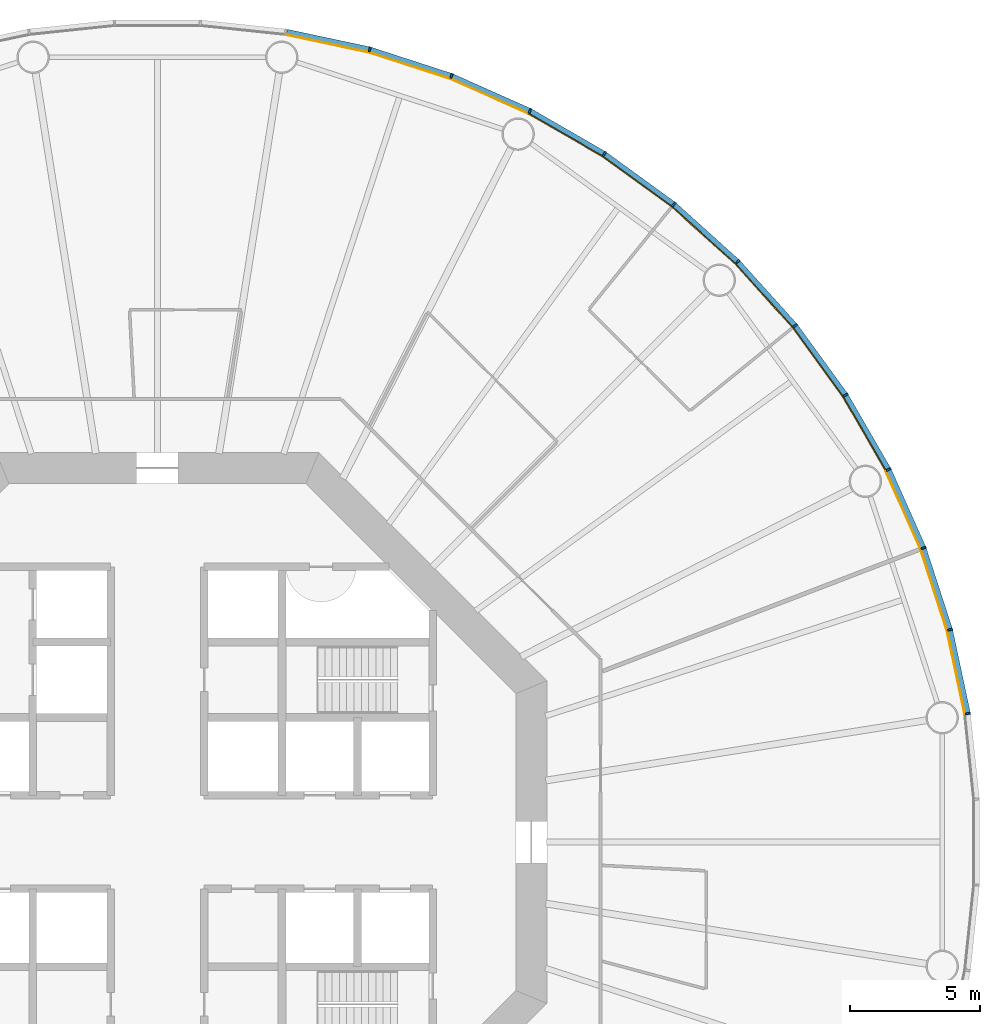
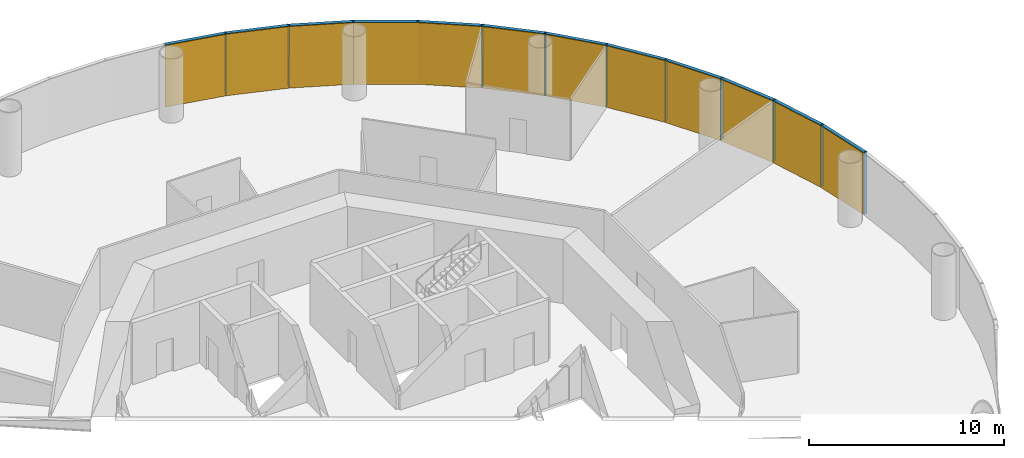
# One storey, part 12 of 13: 24 members, 4 curtain walls.
"""IFC4 building model written with IfcOpenShell, lengths in metres."""

from ifc_helpers import new_model, si_unit, direction, frame, origin, origin_2d, place, context, subcontext, project, spatial, polyline, rectangle, outline, extrude, material, layer, layer_set, material_profile, profile_set, type_object, element, aggregate, save


model = new_model("IFC4")

# Units and contexts
model_context = context("Model", 3, precision=1e-05, world=origin(), true_north=direction((0.0, 1.0)))
body_context = subcontext(model_context, "Body", "Model", "MODEL_VIEW")
ifc_project = project(units=[si_unit("LENGTHUNIT", "METRE"), si_unit("AREAUNIT", "SQUARE_METRE"), si_unit("VOLUMEUNIT", "CUBIC_METRE"), si_unit("PLANEANGLEUNIT", "RADIAN"), si_unit("MASSUNIT", "GRAM", prefix="KILO")], contexts=[model_context])

# Member
ifc_material_1 = material(Name="Anodised aluminium", Category="aluminium")
ifc_material_profile_1 = material_profile(ifc_material_1, rectangle(XDim=0.070068359375, YDim=0.199951171875, at=origin_2d()), Name="Mullion 70 x 200 mm anodised aluminium")
ifc_profile_set_1 = profile_set([ifc_material_profile_1], Name="Anodised aluminium")
member_type_1 = type_object("IfcMemberType", Name="Mullion 70 x 200 mm anodised aluminium", PredefinedType="MULLION", material=ifc_profile_set_1)
site_placement = place(None, origin())
building_placement = place(site_placement, origin())
storey_placement = place(building_placement, frame((0.0, 0.0, 104.0)))
member_1_placement = place(storey_placement, frame((121.2109375, 84.943359375, 0.0), z_axis=(0.0, 0.0, 1.0), x_axis=(-0.15643446504, 0.987688340595, 0.0)))
member_1 = element("IfcMember", 1, at=member_1_placement, type_object=member_type_1, Name="MULLION L23-00", PredefinedType="MULLION", context=body_context, shape_type="SweptSolid", body=[
    extrude(rectangle(XDim=0.070068359375, YDim=0.199951171875, at=origin_2d()), origin(), (0.0, 0.0, 1.0), 3.85009765625),
])

member_2_placement = place(storey_placement, frame((120.523193359375, 88.1787109375, 0.0), z_axis=(0.0, 0.0, 1.0), x_axis=(-0.258819045103, 0.965925826289, 0.0)))
member_2 = element("IfcMember", 2, at=member_2_placement, type_object=member_type_1, Name="MULLION L23-01", PredefinedType="MULLION", context=body_context, shape_type="SweptSolid", body=[
    extrude(rectangle(XDim=0.070068359375, YDim=0.199951171875, at=origin_2d()), origin(), (0.0, 0.0, 1.0), 3.85009765625),
])

member_3_placement = place(storey_placement, frame((119.501220703125, 91.324462890625, 0.0), z_axis=(0.0, 0.0, 1.0), x_axis=(-0.358367949545, 0.933580426497, 0.0)))
member_3 = element("IfcMember", 3, at=member_3_placement, type_object=member_type_1, Name="MULLION L23-02", PredefinedType="MULLION", context=body_context, shape_type="SweptSolid", body=[
    extrude(rectangle(XDim=0.070068359375, YDim=0.199951171875, at=origin_2d()), origin(), (0.0, 0.0, 1.0), 3.85009765625),
])

member_4_placement = place(storey_placement, frame((118.15576171875, 94.34619140625, 0.0), z_axis=(0.0, 0.0, 1.0), x_axis=(-0.45399049974, 0.891006524188, 0.0)))
member_4 = element("IfcMember", 4, at=member_4_placement, type_object=member_type_1, Name="MULLION L23-03", PredefinedType="MULLION", context=body_context, shape_type="SweptSolid", body=[
    extrude(rectangle(XDim=0.070068359375, YDim=0.199951171875, at=origin_2d()), origin(), (0.0, 0.0, 1.0), 3.85009765625),
])

member_5_placement = place(storey_placement, frame((116.501953125, 97.210693359375, 0.0), z_axis=(0.0, 0.0, 1.0), x_axis=(-0.544639035015, 0.838670567945, 0.0)))
member_5 = element("IfcMember", 5, at=member_5_placement, type_object=member_type_1, Name="MULLION L23-04", PredefinedType="MULLION", context=body_context, shape_type="SweptSolid", body=[
    extrude(rectangle(XDim=0.070068359375, YDim=0.199951171875, at=origin_2d()), origin(), (0.0, 0.0, 1.0), 3.85009765625),
])

member_6_placement = place(storey_placement, frame((114.557861328125, 99.886474609375, 0.0), z_axis=(0.0, 0.0, 1.0), x_axis=(-0.62932039105, 0.777145961457, 0.0)))
member_6 = element("IfcMember", 6, at=member_6_placement, type_object=member_type_1, Name="MULLION L23-05", PredefinedType="MULLION", context=body_context, shape_type="SweptSolid", body=[
    extrude(rectangle(XDim=0.070068359375, YDim=0.199951171875, at=origin_2d()), origin(), (0.0, 0.0, 1.0), 3.85009765625),
])

member_7_placement = place(storey_placement, frame((112.344482421875, 102.344482421875, 0.0), z_axis=(0.0, 0.0, 1.0), x_axis=(-0.707106781187, 0.707106781187, 0.0)))
member_7 = element("IfcMember", 7, at=member_7_placement, type_object=member_type_1, Name="MULLION L23-06", PredefinedType="MULLION", context=body_context, shape_type="SweptSolid", body=[
    extrude(rectangle(XDim=0.070068359375, YDim=0.199951171875, at=origin_2d()), origin(), (0.0, 0.0, 1.0), 3.85009765625),
])

member_8_placement = place(storey_placement, frame((109.886474609375, 104.557861328125, 0.0), z_axis=(0.0, 0.0, 1.0), x_axis=(-0.777145961457, 0.62932039105, 0.0)))
member_8 = element("IfcMember", 8, at=member_8_placement, type_object=member_type_1, Name="MULLION L23-07", PredefinedType="MULLION", context=body_context, shape_type="SweptSolid", body=[
    extrude(rectangle(XDim=0.070068359375, YDim=0.199951171875, at=origin_2d()), origin(), (0.0, 0.0, 1.0), 3.85009765625),
])

member_9_placement = place(storey_placement, frame((107.210693359375, 106.501953125, 0.0), z_axis=(0.0, 0.0, 1.0), x_axis=(-0.838670567945, 0.544639035015, 0.0)))
member_9 = element("IfcMember", 9, at=member_9_placement, type_object=member_type_1, Name="MULLION L23-08", PredefinedType="MULLION", context=body_context, shape_type="SweptSolid", body=[
    extrude(rectangle(XDim=0.070068359375, YDim=0.199951171875, at=origin_2d()), origin(), (0.0, 0.0, 1.0), 3.85009765625),
])

member_10_placement = place(storey_placement, frame((104.34619140625, 108.15576171875, 0.0), z_axis=(0.0, 0.0, 1.0), x_axis=(-0.891006524188, 0.45399049974, 0.0)))
member_10 = element("IfcMember", 10, at=member_10_placement, type_object=member_type_1, Name="MULLION L23-09", PredefinedType="MULLION", context=body_context, shape_type="SweptSolid", body=[
    extrude(rectangle(XDim=0.070068359375, YDim=0.199951171875, at=origin_2d()), origin(), (0.0, 0.0, 1.0), 3.85009765625),
])

member_11_placement = place(storey_placement, frame((101.324462890625, 109.501220703125, 0.0), z_axis=(0.0, 0.0, 1.0), x_axis=(-0.933580426497, 0.358367949545, 0.0)))
member_11 = element("IfcMember", 11, at=member_11_placement, type_object=member_type_1, Name="MULLION L23-10", PredefinedType="MULLION", context=body_context, shape_type="SweptSolid", body=[
    extrude(rectangle(XDim=0.070068359375, YDim=0.199951171875, at=origin_2d()), origin(), (0.0, 0.0, 1.0), 3.85009765625),
])

member_12_placement = place(storey_placement, frame((98.1787109375, 110.523193359375, 0.0), z_axis=(0.0, 0.0, 1.0), x_axis=(-0.965925826289, 0.258819045103, 0.0)))
member_12 = element("IfcMember", 12, at=member_12_placement, type_object=member_type_1, Name="MULLION L23-11", PredefinedType="MULLION", context=body_context, shape_type="SweptSolid", body=[
    extrude(rectangle(XDim=0.070068359375, YDim=0.199951171875, at=origin_2d()), origin(), (0.0, 0.0, 1.0), 3.85009765625),
])

ifc_material_2 = material(Name="Anodised aluminium", Category="aluminium")
ifc_material_profile_2 = material_profile(ifc_material_2, rectangle(XDim=0.199951171875, YDim=0.18994140625, at=origin_2d()), Name="Transom 190 x 200 mm anodised aluminium")
ifc_profile_set_2 = profile_set([ifc_material_profile_2], Name="Anodised aluminium")
member_type_2 = type_object("IfcMemberType", Name="Transom 190 x 200 mm anodised aluminium", PredefinedType="USERDEFINED", material=ifc_profile_set_2)
member_13_placement = place(storey_placement, frame((121.20263671875, 84.982666015625, 3.7548828125), z_axis=(-0.207885898771, 0.978153082647, 0.0), x_axis=(-0.978153082647, -0.207885898771, 0.0)))
member_13 = element("IfcMember", 13, at=member_13_placement, type_object=member_type_2, Name="TRANSOM L23-00", ObjectType="TRANSOM", PredefinedType="USERDEFINED", context=body_context, shape_type="SweptSolid", body=[
    extrude(rectangle(XDim=0.199951171875, YDim=0.18994140625, at=origin_2d()), origin(), (0.0, 0.0, 1.0), 3.227294921875),
])

member_14_placement = place(storey_placement, frame((120.510986328125, 88.217041015625, 3.7548828125), z_axis=(-0.309046726844, 0.951046855117, 0.0), x_axis=(-0.951046855117, -0.309046726844, 0.0)))
member_14 = element("IfcMember", 14, at=member_14_placement, type_object=member_type_2, Name="TRANSOM L23-01", ObjectType="TRANSOM", PredefinedType="USERDEFINED", context=body_context, shape_type="SweptSolid", body=[
    extrude(rectangle(XDim=0.199951171875, YDim=0.18994140625, at=origin_2d()), origin(), (0.0, 0.0, 1.0), 3.22705078125),
])

member_15_placement = place(storey_placement, frame((119.48486328125, 91.361328125, 3.7548828125), z_axis=(-0.406728032322, 0.913549291349, 0.0), x_axis=(-0.913549291349, -0.406728032322, 0.0)))
member_15 = element("IfcMember", 15, at=member_15_placement, type_object=member_type_2, Name="TRANSOM L23-02", ObjectType="TRANSOM", PredefinedType="USERDEFINED", context=body_context, shape_type="SweptSolid", body=[
    extrude(rectangle(XDim=0.199951171875, YDim=0.18994140625, at=origin_2d()), origin(), (0.0, 0.0, 1.0), 3.22705078125),
])

member_16_placement = place(storey_placement, frame((118.1357421875, 94.381103515625, 3.7548828125), z_axis=(-0.500004055213, 0.866023062494, 0.0), x_axis=(-0.866023062494, -0.500004055213, 0.0)))
member_16 = element("IfcMember", 16, at=member_16_placement, type_object=member_type_2, Name="TRANSOM L23-03", ObjectType="TRANSOM", PredefinedType="USERDEFINED", context=body_context, shape_type="SweptSolid", body=[
    extrude(rectangle(XDim=0.199951171875, YDim=0.18994140625, at=origin_2d()), origin(), (0.0, 0.0, 1.0), 3.22705078125),
])

member_17_placement = place(storey_placement, frame((116.478515625, 97.2431640625, 3.7548828125), z_axis=(-0.587802790201, 0.809004252048, 0.0), x_axis=(-0.809004252048, -0.587802790201, 0.0)))
member_17 = element("IfcMember", 17, at=member_17_placement, type_object=member_type_2, Name="TRANSOM L23-04", ObjectType="TRANSOM", PredefinedType="USERDEFINED", context=body_context, shape_type="SweptSolid", body=[
    extrude(rectangle(XDim=0.199951171875, YDim=0.18994140625, at=origin_2d()), origin(), (0.0, 0.0, 1.0), 3.227294921875),
])

member_18_placement = place(storey_placement, frame((114.531005859375, 99.91650390625, 3.7548828125), z_axis=(-0.669144438484, 0.743132370743, 0.0), x_axis=(-0.743132370743, -0.669144438484, 0.0)))
member_18 = element("IfcMember", 18, at=member_18_placement, type_object=member_type_2, Name="TRANSOM L23-05", ObjectType="TRANSOM", PredefinedType="USERDEFINED", context=body_context, shape_type="SweptSolid", body=[
    extrude(rectangle(XDim=0.199951171875, YDim=0.18994140625, at=origin_2d()), origin(), (0.0, 0.0, 1.0), 3.22705078125),
])

member_19_placement = place(storey_placement, frame((112.314697265625, 102.37158203125, 3.7548828125), z_axis=(-0.743132370743, 0.669144438484, 0.0), x_axis=(-0.669144438484, -0.743132370743, 0.0)))
member_19 = element("IfcMember", 19, at=member_19_placement, type_object=member_type_2, Name="TRANSOM L23-06", ObjectType="TRANSOM", PredefinedType="USERDEFINED", context=body_context, shape_type="SweptSolid", body=[
    extrude(rectangle(XDim=0.199951171875, YDim=0.18994140625, at=origin_2d()), origin(), (0.0, 0.0, 1.0), 3.22705078125),
])

member_20_placement = place(storey_placement, frame((109.85400390625, 104.58154296875, 3.7548828125), z_axis=(-0.809004252048, 0.587802790201, 0.0), x_axis=(-0.587802790201, -0.809004252048, 0.0)))
member_20 = element("IfcMember", 20, at=member_20_placement, type_object=member_type_2, Name="TRANSOM L23-07", ObjectType="TRANSOM", PredefinedType="USERDEFINED", context=body_context, shape_type="SweptSolid", body=[
    extrude(rectangle(XDim=0.199951171875, YDim=0.18994140625, at=origin_2d()), origin(), (0.0, 0.0, 1.0), 3.227294921875),
])

member_21_placement = place(storey_placement, frame((107.17578125, 106.522216796875, 3.7548828125), z_axis=(-0.866023062494, 0.500004055213, 0.0), x_axis=(-0.500004055213, -0.866023062494, 0.0)))
member_21 = element("IfcMember", 21, at=member_21_placement, type_object=member_type_2, Name="TRANSOM L23-08", ObjectType="TRANSOM", PredefinedType="USERDEFINED", context=body_context, shape_type="SweptSolid", body=[
    extrude(rectangle(XDim=0.199951171875, YDim=0.18994140625, at=origin_2d()), origin(), (0.0, 0.0, 1.0), 3.22705078125),
])

member_22_placement = place(storey_placement, frame((104.309326171875, 108.17236328125, 3.7548828125), z_axis=(-0.913549291349, 0.406728032322, 0.0), x_axis=(-0.406728032322, -0.913549291349, 0.0)))
member_22 = element("IfcMember", 22, at=member_22_placement, type_object=member_type_2, Name="TRANSOM L23-09", ObjectType="TRANSOM", PredefinedType="USERDEFINED", context=body_context, shape_type="SweptSolid", body=[
    extrude(rectangle(XDim=0.199951171875, YDim=0.18994140625, at=origin_2d()), origin(), (0.0, 0.0, 1.0), 3.22705078125),
])

member_23_placement = place(storey_placement, frame((101.2861328125, 109.513671875, 3.7548828125), z_axis=(-0.951046855117, 0.309046726844, 0.0), x_axis=(-0.309046726844, -0.951046855117, 0.0)))
member_23 = element("IfcMember", 23, at=member_23_placement, type_object=member_type_2, Name="TRANSOM L23-10", ObjectType="TRANSOM", PredefinedType="USERDEFINED", context=body_context, shape_type="SweptSolid", body=[
    extrude(rectangle(XDim=0.199951171875, YDim=0.18994140625, at=origin_2d()), origin(), (0.0, 0.0, 1.0), 3.22705078125),
])

member_24_placement = place(storey_placement, frame((98.139404296875, 110.53173828125, 3.7548828125), z_axis=(-0.978153082647, 0.207885898771, 0.0), x_axis=(-0.207885898771, -0.978153082647, 0.0)))
member_24 = element("IfcMember", 24, at=member_24_placement, type_object=member_type_2, Name="TRANSOM L23-11", ObjectType="TRANSOM", PredefinedType="USERDEFINED", context=body_context, shape_type="SweptSolid", body=[
    extrude(rectangle(XDim=0.199951171875, YDim=0.18994140625, at=origin_2d()), origin(), (0.0, 0.0, 1.0), 3.227294921875),
])

# Site, building, storey
site = spatial("IfcSite", under=ifc_project, at=site_placement, CompositionType="ELEMENT")
building = spatial("IfcBuilding", under=site, at=building_placement, Name="Entoto Ring Tower", CompositionType="ELEMENT")
storey = spatial("IfcBuildingStorey", under=building, at=storey_placement, Name="L23", CompositionType="ELEMENT", Elevation=104.0)

# Curtain wall
ifc_material_3 = material(Name="Clear low-iron glass", Category="glass")
ifc_layer = layer(ifc_material_3, 0.035888671875)
ifc_layer_set = layer_set([ifc_layer], Name="Clear low-iron glass")
curtain_wall_type = type_object("IfcCurtainWallType", Name="Curtain wall system CW2 glazing 36 mm", PredefinedType="NOTDEFINED", material=ifc_layer_set)
curtain_wall_1_placement = place(storey_placement, origin())
curtain_wall_1 = element("IfcCurtainWall", 25, at=curtain_wall_1_placement, inside=storey, type_object=curtain_wall_type, Name="CW2 L23-01", PredefinedType="NOTDEFINED", context=body_context, shape_type="SweptSolid", body=[
    extrude(outline(polyline([(121.1123046875, 84.927734375), (120.4267578125, 88.15283203125), (119.40771484375, 91.28857421875), (118.066650390625, 94.30078125), (118.03466796875, 94.284423828125), (119.3740234375, 91.275634765625), (120.391845703125, 88.1435546875), (121.07666015625, 84.922119140625), (121.1123046875, 84.927734375)])), origin(), (0.0, 0.0, 1.0), 3.85009765625),
])

aggregate(curtain_wall_1, [member_1, member_2, member_3, member_13, member_14, member_15])

curtain_wall_2_placement = place(storey_placement, origin())
curtain_wall_2 = element("IfcCurtainWall", 26, at=curtain_wall_2_placement, inside=storey, type_object=curtain_wall_type, Name="CW2 L23-02", PredefinedType="NOTDEFINED", context=body_context, shape_type="SweptSolid", body=[
    extrude(outline(polyline([(118.066650390625, 94.30078125), (116.418212890625, 97.15625), (114.47998046875, 99.823486328125), (112.27392578125, 102.27392578125), (112.248291015625, 102.248291015625), (114.4521484375, 99.801025390625), (116.387939453125, 97.136474609375), (118.03466796875, 94.284423828125), (118.066650390625, 94.30078125)])), origin(), (0.0, 0.0, 1.0), 3.85009765625),
])

aggregate(curtain_wall_2, [member_4, member_5, member_6, member_16, member_17, member_18])

curtain_wall_3_placement = place(storey_placement, origin())
curtain_wall_3 = element("IfcCurtainWall", 27, at=curtain_wall_3_placement, inside=storey, type_object=curtain_wall_type, Name="CW2 L23-03", PredefinedType="NOTDEFINED", context=body_context, shape_type="SweptSolid", body=[
    extrude(outline(polyline([(112.27392578125, 102.27392578125), (109.823486328125, 104.47998046875), (107.15625, 106.418212890625), (104.30078125, 108.066650390625), (104.284423828125, 108.03466796875), (107.136474609375, 106.387939453125), (109.801025390625, 104.4521484375), (112.248291015625, 102.248291015625), (112.27392578125, 102.27392578125)])), origin(), (0.0, 0.0, 1.0), 3.85009765625),
])

aggregate(curtain_wall_3, [member_7, member_8, member_9, member_19, member_20, member_21])

curtain_wall_4_placement = place(storey_placement, origin())
curtain_wall_4 = element("IfcCurtainWall", 28, at=curtain_wall_4_placement, inside=storey, type_object=curtain_wall_type, Name="CW2 L23-04", PredefinedType="NOTDEFINED", context=body_context, shape_type="SweptSolid", body=[
    extrude(outline(polyline([(104.30078125, 108.066650390625), (101.28857421875, 109.40771484375), (98.15283203125, 110.4267578125), (94.927734375, 111.1123046875), (94.922119140625, 111.07666015625), (98.1435546875, 110.391845703125), (101.275634765625, 109.3740234375), (104.284423828125, 108.03466796875), (104.30078125, 108.066650390625)])), origin(), (0.0, 0.0, 1.0), 3.85009765625),
])

aggregate(curtain_wall_4, [member_10, member_11, member_12, member_22, member_23, member_24])

save(model, "model.ifc")
